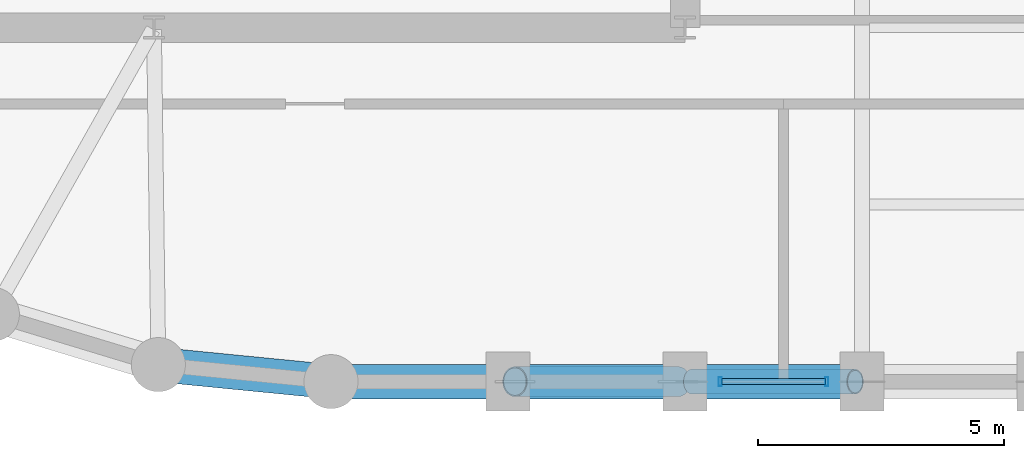
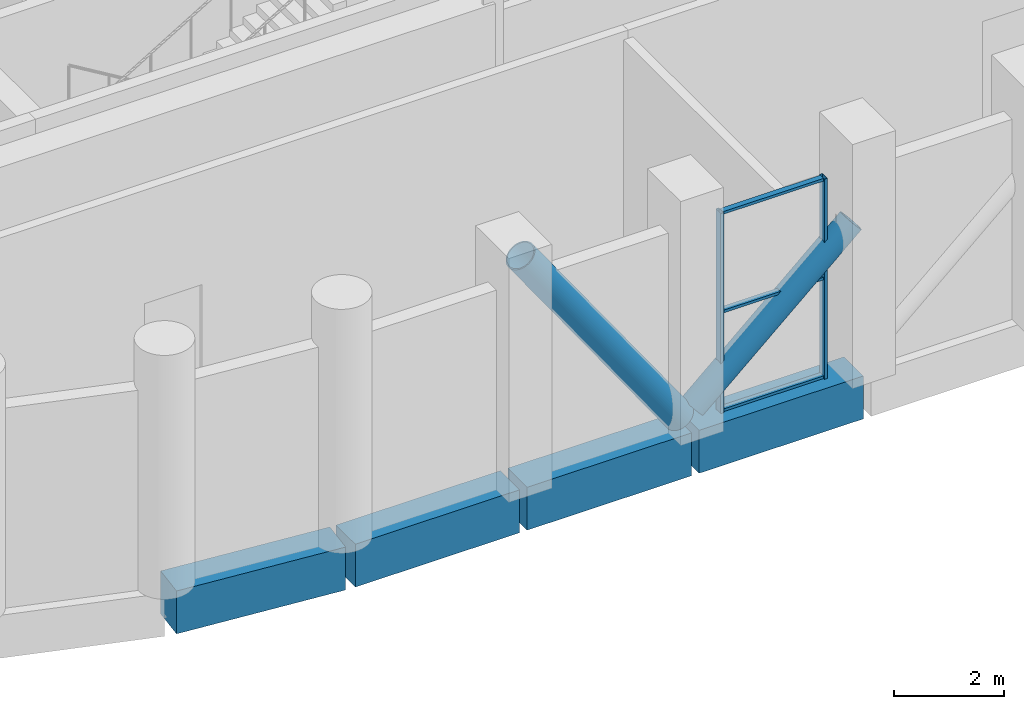
# One storey, part 4 of 27: 7 members, 4 beams, 1 element without a shape of its own.
"""IFC4 building model written with IfcOpenShell, lengths in metres."""

from ifc_helpers import new_model, si_unit, direction, frame, origin, origin_2d, place, context, subcontext, project, spatial, rectangle, hollow_rectangle, hollow_circle, extrude, material, layer, layer_set, material_profile, profile_set, type_object, element, aggregate, save


model = new_model("IFC4")

# Units and contexts
model_context = context("Model", 3, precision=1e-05, world=origin(), true_north=direction((0.0, 1.0)))
body_context = subcontext(model_context, "Body", "Model", "MODEL_VIEW")
ifc_project = project(units=[si_unit("LENGTHUNIT", "METRE"), si_unit("AREAUNIT", "SQUARE_METRE"), si_unit("VOLUMEUNIT", "CUBIC_METRE"), si_unit("PLANEANGLEUNIT", "RADIAN"), si_unit("MASSUNIT", "GRAM", prefix="KILO")], contexts=[model_context])

# Site, building, storey
site_placement = place(None, origin())
site = spatial("IfcSite", under=ifc_project, at=site_placement, CompositionType="ELEMENT")
building_placement = place(site_placement, origin())
building = spatial("IfcBuilding", under=site, at=building_placement, Name="Solnavia Interchange Tower", CompositionType="ELEMENT")
storey_placement = place(building_placement, frame((0.0, 0.0, 74.699951171875)))
storey = spatial("IfcBuildingStorey", under=building, at=storey_placement, Name="L18", CompositionType="ELEMENT", Elevation=74.699951171875)

# Beams
ifc_material_1 = material(Name="Concrete C50/60", Category="concrete")
ifc_material_profile_1 = material_profile(ifc_material_1, rectangle(XDim=0.699951171875, YDim=0.949951171875, at=origin_2d()), Name="RC 700x950")
ifc_profile_set_1 = profile_set([ifc_material_profile_1], Name="Concrete C50/60")
beam_type = type_object("IfcBeamType", Name="Beam-Spandrel-RC700x950", PredefinedType="SPANDREL", material=ifc_profile_set_1)
beam_1_placement = place(storey_placement, frame((21.767578125, 3.938232421875, -0.474853515625), z_axis=(0.995181774609, -0.098047108501, 0.0), x_axis=(0.098047108501, 0.995181774609, 0.0)))
element("IfcBeam", 1, at=beam_1_placement, inside=storey, type_object=beam_type, Name="SPB-L18-08 Framed-tube perimeter spandrel beam", PredefinedType="SPANDREL", context=body_context, shape_type="SweptSolid", body=[
    extrude(rectangle(XDim=0.699951171875, YDim=0.949951171875, at=origin_2d()), origin(), (0.0, 0.0, 1.0), 3.368896484375),
])
beam_2_placement = place(storey_placement, frame((25.280029296875, 3.60009765625, -0.474853515625), z_axis=(1.0, 0.0, 0.0), x_axis=(0.0, 1.0, 0.0)))
element("IfcBeam", 2, at=beam_2_placement, inside=storey, type_object=beam_type, Name="SPB-L18-09 Framed-tube perimeter spandrel beam", PredefinedType="SPANDREL", context=body_context, shape_type="SweptSolid", body=[
    extrude(rectangle(XDim=0.699951171875, YDim=0.949951171875, at=origin_2d()), origin(), (0.0, 0.0, 1.0), 3.43994140625),
])
beam_3_placement = place(storey_placement, frame((28.8798828125, 3.60009765625, -0.474853515625), z_axis=(1.0, 0.0, 0.0), x_axis=(0.0, 1.0, 0.0)))
element("IfcBeam", 3, at=beam_3_placement, inside=storey, type_object=beam_type, Name="SPB-L18-10 Framed-tube perimeter spandrel beam", PredefinedType="SPANDREL", context=body_context, shape_type="SweptSolid", body=[
    extrude(rectangle(XDim=0.699951171875, YDim=0.949951171875, at=origin_2d()), origin(), (0.0, 0.0, 1.0), 3.440185546875),
])
beam_4_placement = place(storey_placement, frame((32.47998046875, 3.60009765625, -0.474853515625), z_axis=(1.0, 0.0, 0.0), x_axis=(0.0, 1.0, 0.0)))
element("IfcBeam", 4, at=beam_4_placement, inside=storey, type_object=beam_type, Name="SPB-L18-11 Framed-tube perimeter spandrel beam", PredefinedType="SPANDREL", context=body_context, shape_type="SweptSolid", body=[
    extrude(rectangle(XDim=0.699951171875, YDim=0.949951171875, at=origin_2d()), origin(), (0.0, 0.0, 1.0), 3.43994140625),
])

# Member
ifc_material_2 = material(Name="Steel S460", Category="steel")
ifc_material_profile_2 = material_profile(ifc_material_2, hollow_circle(Radius=0.304931640625, WallThickness=0.02490234375, at=origin_2d()), Name="CHS 610x25")
ifc_profile_set_2 = profile_set([ifc_material_profile_2], Name="Steel S460")
member_type_1 = type_object("IfcMemberType", Name="Brace-Perim-CHS610", PredefinedType="BRACE", material=ifc_profile_set_2)
member_1_placement = place(storey_placement, frame((32.260009765625, 3.60009765625, 0.179931640625), z_axis=(-0.575312099507, 0.0, 0.817933975429), x_axis=(0.0, -1.0, 0.0)))
element("IfcMember", 5, at=member_1_placement, inside=storey, type_object=member_type_1, Name="BRC-L18-01 Perimeter tube diagonal brace", PredefinedType="BRACE", context=body_context, shape_type="SweptSolid", body=[
    extrude(hollow_circle(Radius=0.304931640625, WallThickness=0.02490234375, at=origin_2d()), origin(), (0.0, 0.0, 1.0), 5.77099609375),
])

# Curtain wall, members
ifc_material_3 = material(Name="Aluminium Alloy 6063-T6", Category="aluminium")
ifc_layer = layer(ifc_material_3, 0.199951171875)
ifc_layer_set = layer_set([ifc_layer], Name="Aluminium Alloy 6063-T6")
curtain_wall_type = type_object("IfcCurtainWallType", Name="CurtainWall-Louvre-CTW5", PredefinedType="NOTDEFINED", material=ifc_layer_set)
curtain_wall_placement = place(storey_placement, origin())
curtain_wall = element("IfcCurtainWall", 6, at=curtain_wall_placement, inside=storey, type_object=curtain_wall_type, Name="CTW-L18-L03 CTW-5 curtain wall", PredefinedType="NOTDEFINED")
ifc_material_profile_3 = material_profile(ifc_material_3, hollow_rectangle(XDim=0.06494140625, YDim=0.179931640625, WallThickness=0.00439453125, at=origin_2d()), Name="ALU 180x65x4.5")
ifc_profile_set_3 = profile_set([ifc_material_profile_3], Name="Aluminium Alloy 6063-T6")
member_type_2 = type_object("IfcMemberType", Name="CW-Mullion-CWM-5", PredefinedType="MULLION", material=ifc_profile_set_3)
member_2_placement = place(storey_placement, frame((33.114990234375, 3.60009765625, 0.0), z_axis=(0.0, 0.0, 1.0), x_axis=(1.0, 0.0, 0.0)))
member_2 = element("IfcMember", 7, at=member_2_placement, type_object=member_type_2, Name="CTW-5 mullion 1", PredefinedType="MULLION", context=body_context, shape_type="SweptSolid", body=[
    extrude(hollow_rectangle(XDim=0.06494140625, YDim=0.179931640625, WallThickness=0.00439453125, at=origin_2d()), origin(), (0.0, 0.0, 1.0), 4.429931640625),
])
member_3_placement = place(storey_placement, frame((35.284912109375, 3.60009765625, 0.0), z_axis=(0.0, 0.0, 1.0), x_axis=(1.0, 0.0, 0.0)))
member_3 = element("IfcMember", 8, at=member_3_placement, type_object=member_type_2, Name="CTW-5 mullion 2", PredefinedType="MULLION", context=body_context, shape_type="SweptSolid", body=[
    extrude(hollow_rectangle(XDim=0.06494140625, YDim=0.179931640625, WallThickness=0.00439453125, at=origin_2d()), origin(), (0.0, 0.0, 1.0), 4.429931640625),
])
ifc_material_profile_4 = material_profile(ifc_material_3, hollow_rectangle(XDim=0.06005859375, YDim=0.1201171875, WallThickness=0.00390625, at=origin_2d()), Name="ALU 120x60x4")
ifc_profile_set_4 = profile_set([ifc_material_profile_4], Name="Aluminium Alloy 6063-T6")
member_type_3 = type_object("IfcMemberType", Name="CW-Transom-CWT-5", PredefinedType="USERDEFINED", material=ifc_profile_set_4)
member_4_placement = place(storey_placement, frame((33.1474609375, 3.60009765625, 0.030029296875), z_axis=(1.0, 0.0, 0.0), x_axis=(0.0, 0.0, 1.0)))
member_4 = element("IfcMember", 9, at=member_4_placement, type_object=member_type_3, Name="CTW-5 transom 1.1", ObjectType="TRANSOM", PredefinedType="USERDEFINED", context=body_context, shape_type="SweptSolid", body=[
    extrude(hollow_rectangle(XDim=0.06005859375, YDim=0.1201171875, WallThickness=0.00390625, at=origin_2d()), origin(), (0.0, 0.0, 1.0), 2.10498046875),
])
member_5_placement = place(storey_placement, frame((33.1474609375, 3.60009765625, 2.215087890625), z_axis=(1.0, 0.0, 0.0), x_axis=(0.0, 0.0, 1.0)))
member_5 = element("IfcMember", 10, at=member_5_placement, type_object=member_type_3, Name="CTW-5 transom 1.2", ObjectType="TRANSOM", PredefinedType="USERDEFINED", context=body_context, shape_type="SweptSolid", body=[
    extrude(hollow_rectangle(XDim=0.06005859375, YDim=0.1201171875, WallThickness=0.00390625, at=origin_2d()), origin(), (0.0, 0.0, 1.0), 2.10498046875),
])
member_6_placement = place(storey_placement, frame((33.1474609375, 3.60009765625, 4.400146484375), z_axis=(1.0, 0.0, 0.0), x_axis=(0.0, 0.0, 1.0)))
member_6 = element("IfcMember", 11, at=member_6_placement, type_object=member_type_3, Name="CTW-5 transom 1.3", ObjectType="TRANSOM", PredefinedType="USERDEFINED", context=body_context, shape_type="SweptSolid", body=[
    extrude(hollow_rectangle(XDim=0.06005859375, YDim=0.1201171875, WallThickness=0.00390625, at=origin_2d()), origin(), (0.0, 0.0, 1.0), 2.10498046875),
])
aggregate(curtain_wall, [member_2, member_3, member_4, member_5, member_6])

# Member
ifc_material_profile_5 = material_profile(ifc_material_2, hollow_circle(Radius=0.25390625, WallThickness=0.02490234375, at=origin_2d()), Name="CHS 508x25")
ifc_profile_set_5 = profile_set([ifc_material_profile_5], Name="Steel S460")
member_type_4 = type_object("IfcMemberType", Name="Outrigger-Diag-CHS508", PredefinedType="BRACE", material=ifc_profile_set_5)
member_7_placement = place(storey_placement, frame((32.5400390625, 3.60009765625, 0.300048828125), z_axis=(0.747545781752, 0.0, 0.664210286118), x_axis=(0.0, 1.0, 0.0)))
element("IfcMember", 12, at=member_7_placement, inside=storey, type_object=member_type_4, Name="OTR-L18-BT01 Belt truss diagonal", PredefinedType="BRACE", context=body_context, shape_type="SweptSolid", body=[
    extrude(hollow_circle(Radius=0.25390625, WallThickness=0.02490234375, at=origin_2d()), origin(), (0.0, 0.0, 1.0), 4.44140625),
])

save(model, "model.ifc")
